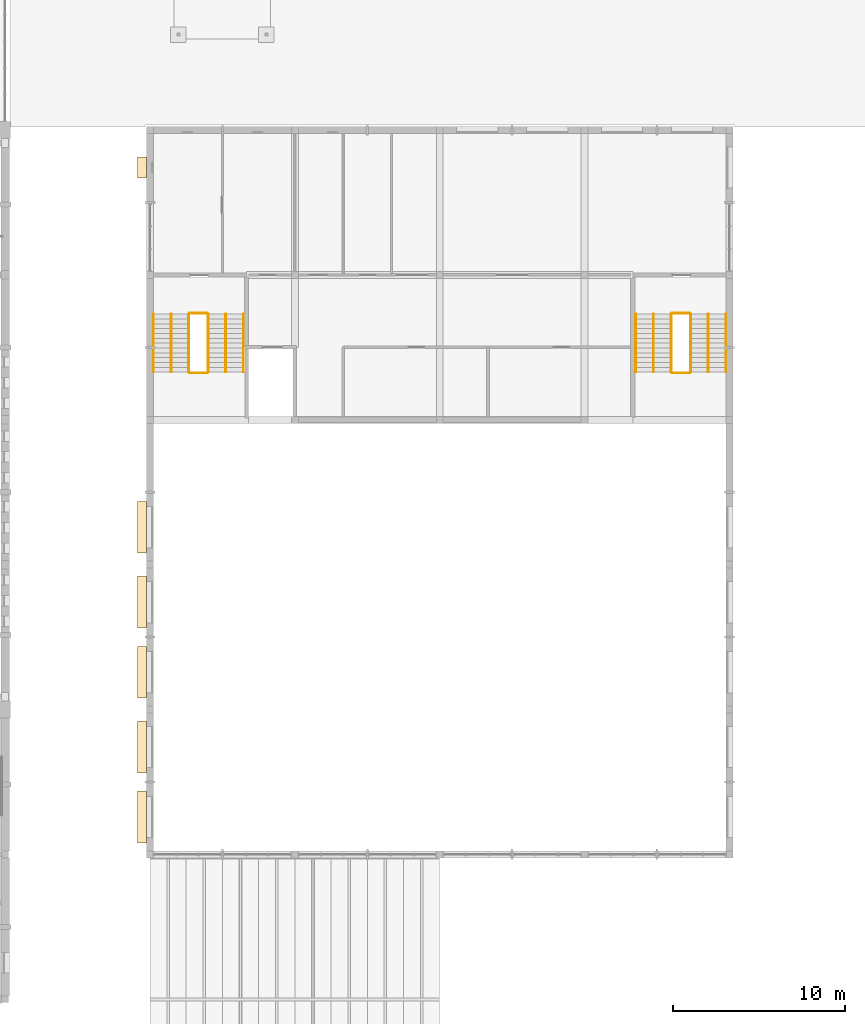
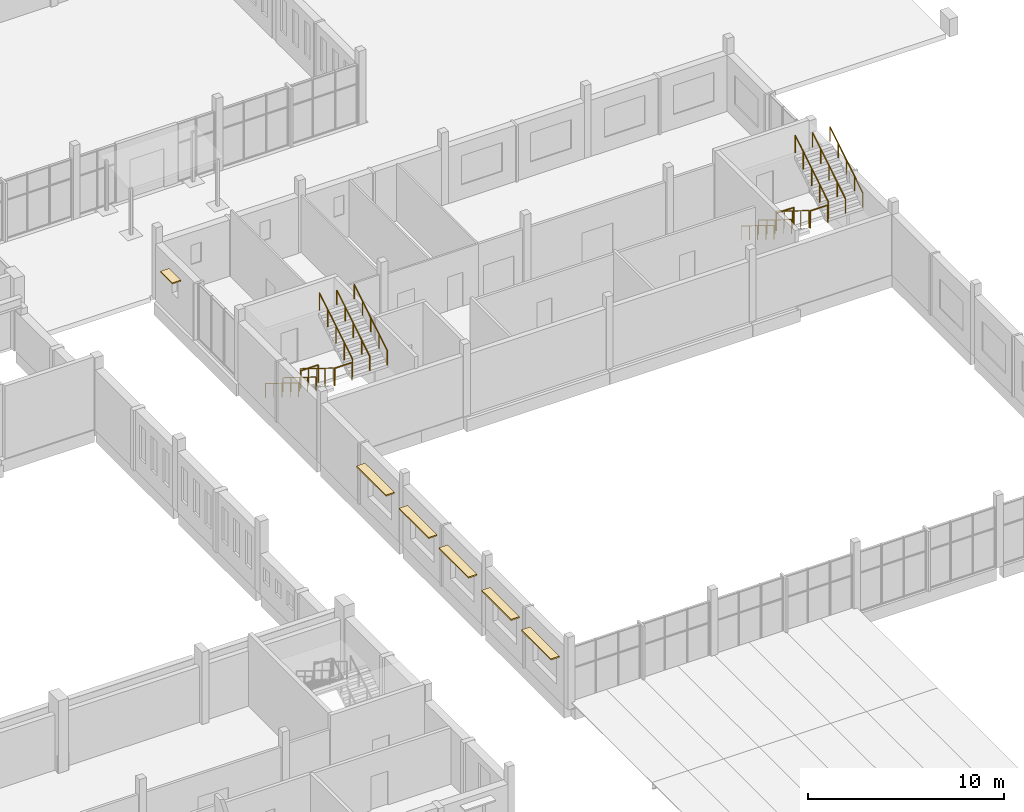
# One storey, part 58 of 60: 16 railings, 6 coverings.
"""IFC4 building model written with IfcOpenShell, lengths in metres."""

from ifc_helpers import new_model, si_unit, direction, frame, origin, origin_2d, place, context, subcontext, project, spatial, rectangle, circle, extrude, material, layer, layer_set, type_object, element, save


model = new_model("IFC4")

# Units and contexts
model_context = context("Model", 3, precision=1e-05, world=origin(), true_north=direction((0.0, 1.0)))
body_context = subcontext(model_context, "Body", "Model", "MODEL_VIEW")
ifc_project = project(units=[si_unit("LENGTHUNIT", "METRE"), si_unit("AREAUNIT", "SQUARE_METRE"), si_unit("VOLUMEUNIT", "CUBIC_METRE"), si_unit("PLANEANGLEUNIT", "RADIAN"), si_unit("MASSUNIT", "GRAM", prefix="KILO")], contexts=[model_context])

# Site, building, storey
site_placement = place(None, origin())
site = spatial("IfcSite", under=ifc_project, at=site_placement, CompositionType="ELEMENT")
building_placement = place(site_placement, origin())
building = spatial("IfcBuilding", under=site, at=building_placement, Name="Fescue Hill Polytechnic", CompositionType="ELEMENT")
storey_placement = place(building_placement, frame((0.0, 0.0, 4.5)))
storey = spatial("IfcBuildingStorey", under=building, at=storey_placement, Name="L01", CompositionType="ELEMENT", Elevation=4.5)

# Coverings
ifc_material_1 = material(Name="Precast concrete C40/50", Category="concrete")
ifc_layer = layer(ifc_material_1, 0.080078125)
ifc_layer_set = layer_set([ifc_layer], Name="Precast concrete C40/50")
covering_type = type_object("IfcCoveringType", Name="Shade blade precast 500x80", PredefinedType="CLADDING", material=ifc_layer_set)
covering_placement = place(storey_placement, frame((125.5400390625, 48.22998046875, 2.75), z_axis=(0.0, 0.0, 1.0), x_axis=(0.0, -1.0, 0.0)))
element("IfcCovering", 1, at=covering_placement, inside=storey, type_object=covering_type, Name="SB-L01-V3-1", PredefinedType="CLADDING", context=body_context, shape_type="SweptSolid", body=[
    extrude(rectangle(XDim=1.199951171875, YDim=0.5, at=origin_2d()), origin(), (0.0, 0.0, 1.0), 0.080078125),
])
for number, where, z_axis, x_axis, name in (
    (2, (125.5400390625, 27.3701171875, 2.75), (0.0, 0.0, 1.0), (0.0, -1.0, 0.0), "SB-L01-V3-2"),
    (3, (125.5400390625, 23.030029296875, 2.75), (0.0, 0.0, 1.0), (0.0, -1.0, 0.0), "SB-L01-V3-3"),
    (4, (125.5400390625, 18.969970703125, 2.75), (0.0, 0.0, 1.0), (0.0, -1.0, 0.0), "SB-L01-V3-4"),
    (5, (125.5400390625, 14.6298828125, 2.75), (0.0, 0.0, 1.0), (0.0, -1.0, 0.0), "SB-L01-V3-5"),
    (6, (125.5400390625, 10.570068359375, 2.75), (0.0, 0.0, 1.0), (0.0, -1.0, 0.0), "SB-L01-V3-6"),
):
    element("IfcCovering", number, at=place(storey_placement, frame(where, z_axis=z_axis, x_axis=x_axis)), inside=storey, type_object=covering_type, Name=name, PredefinedType="CLADDING", context=body_context, shape_type="SweptSolid", body=[
        extrude(rectangle(XDim=3.0, YDim=0.5, at=origin_2d()), origin(), (0.0, 0.0, 1.0), 0.080078125),
    ])

# Railings
ifc_material_2 = material(Name="Steel 350W (350 MPa)", Category="steel")
railing_type_1 = type_object("IfcRailingType", Name="Stair guard steel 1100", PredefinedType="GUARDRAIL", material=ifc_material_2)
railing_1_placement = place(storey_placement, frame((128.25, 39.72509765625, 0.173095703125)))
element("IfcRailing", 7, at=railing_1_placement, inside=storey, type_object=railing_type_1, Name="L01 ST-V3-1 stair guard 1", PredefinedType="GUARDRAIL", context=body_context, shape_type="SweptSolid", body=[
    extrude(circle(Radius=0.02392578125, at=origin_2d()), frame((0.0, 0.0, 1.076171875), z_axis=(0.0, -0.850623216509, 0.525775754039), x_axis=(1.0, 0.0, 0.0)), (0.0, 0.0, 1.0), 3.9501953125),
    extrude(circle(Radius=0.02099609375, at=origin_2d()), origin(), (0.0, 0.0, 1.0), 1.052001953125),
    extrude(circle(Radius=0.02099609375, at=origin_2d()), frame((0.0, -0.840087890625, 0.519287109375)), (0.0, 0.0, 1.0), 1.052001953125),
    extrude(circle(Radius=0.02099609375, at=origin_2d()), frame((0.0, -1.68017578125, 1.03857421875)), (0.0, 0.0, 1.0), 1.052001953125),
    extrude(circle(Radius=0.02099609375, at=origin_2d()), frame((0.0, -2.52001953125, 1.5576171875)), (0.0, 0.0, 1.0), 1.052001953125),
    extrude(circle(Radius=0.02099609375, at=origin_2d()), frame((0.0, -3.360107421875, 2.076904296875)), (0.0, 0.0, 1.0), 1.052001953125),
])
railing_2_placement = place(storey_placement, frame((128.300048828125, 36.31494140625, 2.25)))
element("IfcRailing", 8, at=railing_2_placement, inside=storey, type_object=railing_type_1, Name="L01 ST-V3-1 stair guard 2", PredefinedType="GUARDRAIL", context=body_context, shape_type="SweptSolid", body=[
    extrude(circle(Radius=0.02392578125, at=origin_2d()), frame((0.0, 0.0, 1.076171875), z_axis=(1.0, 0.0, 0.0), x_axis=(0.0, 1.0, 0.0)), (0.0, 0.0, 1.0), 1.02490234375),
    extrude(circle(Radius=0.02099609375, at=origin_2d()), origin(), (0.0, 0.0, 1.0), 1.052001953125),
    extrude(circle(Radius=0.02099609375, at=origin_2d()), frame((1.02490234375, 0.0, 0.0)), (0.0, 0.0, 1.0), 1.052001953125),
])
railing_3_placement = place(storey_placement, frame((129.375, 36.364990234375, 2.423095703125)))
element("IfcRailing", 9, at=railing_3_placement, inside=storey, type_object=railing_type_1, Name="L01 ST-V3-1 stair guard 3", PredefinedType="GUARDRAIL", context=body_context, shape_type="SweptSolid", body=[
    extrude(circle(Radius=0.02392578125, at=origin_2d()), frame((0.0, 0.0, 1.076171875), z_axis=(0.0, 0.850623216509, 0.525775754039), x_axis=(-1.0, 0.0, 0.0)), (0.0, 0.0, 1.0), 3.9501953125),
    extrude(circle(Radius=0.02099609375, at=origin_2d()), origin(), (0.0, 0.0, 1.0), 1.052001953125),
    extrude(circle(Radius=0.02099609375, at=origin_2d()), frame((0.0, 0.840087890625, 0.519287109375)), (0.0, 0.0, 1.0), 1.052001953125),
    extrude(circle(Radius=0.02099609375, at=origin_2d()), frame((0.0, 1.68017578125, 1.03857421875)), (0.0, 0.0, 1.0), 1.052001953125),
    extrude(circle(Radius=0.02099609375, at=origin_2d()), frame((0.0, 2.52001953125, 1.5576171875)), (0.0, 0.0, 1.0), 1.052001953125),
    extrude(circle(Radius=0.02099609375, at=origin_2d()), frame((0.0, 3.360107421875, 2.076904296875)), (0.0, 0.0, 1.0), 1.052001953125),
])
railing_4_placement = place(storey_placement, frame((128.300048828125, 39.77490234375, 0.0)))
element("IfcRailing", 10, at=railing_4_placement, inside=storey, type_object=railing_type_1, Name="L01 ST-V3-1 stair guard 4", PredefinedType="GUARDRAIL", context=body_context, shape_type="SweptSolid", body=[
    extrude(circle(Radius=0.02392578125, at=origin_2d()), frame((0.0, 0.0, 1.076171875), z_axis=(1.0, 0.0, 0.0), x_axis=(0.0, 1.0, 0.0)), (0.0, 0.0, 1.0), 1.02490234375),
    extrude(circle(Radius=0.02099609375, at=origin_2d()), origin(), (0.0, 0.0, 1.0), 1.052001953125),
    extrude(circle(Radius=0.02099609375, at=origin_2d()), frame((1.02490234375, 0.0, 0.0)), (0.0, 0.0, 1.0), 1.052001953125),
])
railing_5_placement = place(storey_placement, frame((156.22509765625, 39.72509765625, 0.173095703125)))
element("IfcRailing", 11, at=railing_5_placement, inside=storey, type_object=railing_type_1, Name="L01 ST-V3-2 stair guard 1", PredefinedType="GUARDRAIL", context=body_context, shape_type="SweptSolid", body=[
    extrude(circle(Radius=0.02392578125, at=origin_2d()), frame((0.0, 0.0, 1.076171875), z_axis=(0.0, -0.850623216509, 0.525775754039), x_axis=(1.0, 0.0, 0.0)), (0.0, 0.0, 1.0), 3.9501953125),
    extrude(circle(Radius=0.02099609375, at=origin_2d()), origin(), (0.0, 0.0, 1.0), 1.052001953125),
    extrude(circle(Radius=0.02099609375, at=origin_2d()), frame((0.0, -0.840087890625, 0.519287109375)), (0.0, 0.0, 1.0), 1.052001953125),
    extrude(circle(Radius=0.02099609375, at=origin_2d()), frame((0.0, -1.68017578125, 1.03857421875)), (0.0, 0.0, 1.0), 1.052001953125),
    extrude(circle(Radius=0.02099609375, at=origin_2d()), frame((0.0, -2.52001953125, 1.5576171875)), (0.0, 0.0, 1.0), 1.052001953125),
    extrude(circle(Radius=0.02099609375, at=origin_2d()), frame((0.0, -3.360107421875, 2.076904296875)), (0.0, 0.0, 1.0), 1.052001953125),
])
railing_6_placement = place(storey_placement, frame((156.27490234375, 36.31494140625, 2.25)))
element("IfcRailing", 12, at=railing_6_placement, inside=storey, type_object=railing_type_1, Name="L01 ST-V3-2 stair guard 2", PredefinedType="GUARDRAIL", context=body_context, shape_type="SweptSolid", body=[
    extrude(circle(Radius=0.02392578125, at=origin_2d()), frame((0.0, 0.0, 1.076171875), z_axis=(1.0, 0.0, 0.0), x_axis=(0.0, 1.0, 0.0)), (0.0, 0.0, 1.0), 1.025146484375),
    extrude(circle(Radius=0.02099609375, at=origin_2d()), origin(), (0.0, 0.0, 1.0), 1.052001953125),
    extrude(circle(Radius=0.02099609375, at=origin_2d()), frame((1.025146484375, 0.0, 0.0)), (0.0, 0.0, 1.0), 1.052001953125),
])
railing_7_placement = place(storey_placement, frame((157.35009765625, 36.364990234375, 2.423095703125)))
element("IfcRailing", 13, at=railing_7_placement, inside=storey, type_object=railing_type_1, Name="L01 ST-V3-2 stair guard 3", PredefinedType="GUARDRAIL", context=body_context, shape_type="SweptSolid", body=[
    extrude(circle(Radius=0.02392578125, at=origin_2d()), frame((0.0, 0.0, 1.076171875), z_axis=(0.0, 0.850623216509, 0.525775754039), x_axis=(-1.0, 0.0, 0.0)), (0.0, 0.0, 1.0), 3.9501953125),
    extrude(circle(Radius=0.02099609375, at=origin_2d()), origin(), (0.0, 0.0, 1.0), 1.052001953125),
    extrude(circle(Radius=0.02099609375, at=origin_2d()), frame((0.0, 0.840087890625, 0.519287109375)), (0.0, 0.0, 1.0), 1.052001953125),
    extrude(circle(Radius=0.02099609375, at=origin_2d()), frame((0.0, 1.68017578125, 1.03857421875)), (0.0, 0.0, 1.0), 1.052001953125),
    extrude(circle(Radius=0.02099609375, at=origin_2d()), frame((0.0, 2.52001953125, 1.5576171875)), (0.0, 0.0, 1.0), 1.052001953125),
    extrude(circle(Radius=0.02099609375, at=origin_2d()), frame((0.0, 3.360107421875, 2.076904296875)), (0.0, 0.0, 1.0), 1.052001953125),
])
railing_8_placement = place(storey_placement, frame((156.27490234375, 39.77490234375, 0.0)))
element("IfcRailing", 14, at=railing_8_placement, inside=storey, type_object=railing_type_1, Name="L01 ST-V3-2 stair guard 4", PredefinedType="GUARDRAIL", context=body_context, shape_type="SweptSolid", body=[
    extrude(circle(Radius=0.02392578125, at=origin_2d()), frame((0.0, 0.0, 1.076171875), z_axis=(1.0, 0.0, 0.0), x_axis=(0.0, 1.0, 0.0)), (0.0, 0.0, 1.0), 1.025146484375),
    extrude(circle(Radius=0.02099609375, at=origin_2d()), origin(), (0.0, 0.0, 1.0), 1.052001953125),
    extrude(circle(Radius=0.02099609375, at=origin_2d()), frame((1.025146484375, 0.0, 0.0)), (0.0, 0.0, 1.0), 1.052001953125),
])
railing_type_2 = type_object("IfcRailingType", Name="Stair handrail steel 900", PredefinedType="HANDRAIL", material=ifc_material_2)
railing_9_placement = place(storey_placement, frame((126.199951171875, 39.72509765625, 0.173095703125)))
element("IfcRailing", 15, at=railing_9_placement, inside=storey, type_object=railing_type_2, Name="L01 ST-V3-1 stair handrail 1", PredefinedType="HANDRAIL", context=body_context, shape_type="SweptSolid", body=[
    extrude(circle(Radius=0.02392578125, at=origin_2d()), frame((0.0, 0.0, 0.8759765625), z_axis=(0.0, -0.850623216509, 0.525775754039), x_axis=(1.0, 0.0, 0.0)), (0.0, 0.0, 1.0), 3.9501953125),
    extrude(circle(Radius=0.02099609375, at=origin_2d()), origin(), (0.0, 0.0, 1.0), 0.851806640625),
    extrude(circle(Radius=0.02099609375, at=origin_2d()), frame((0.0, -0.840087890625, 0.519287109375)), (0.0, 0.0, 1.0), 0.851806640625),
    extrude(circle(Radius=0.02099609375, at=origin_2d()), frame((0.0, -1.68017578125, 1.03857421875)), (0.0, 0.0, 1.0), 0.851806640625),
    extrude(circle(Radius=0.02099609375, at=origin_2d()), frame((0.0, -2.52001953125, 1.5576171875)), (0.0, 0.0, 1.0), 0.851806640625),
    extrude(circle(Radius=0.02099609375, at=origin_2d()), frame((0.0, -3.360107421875, 2.076904296875)), (0.0, 0.0, 1.0), 0.851806640625),
])
railing_10_placement = place(storey_placement, frame((131.425048828125, 36.364990234375, 2.423095703125)))
element("IfcRailing", 16, at=railing_10_placement, inside=storey, type_object=railing_type_2, Name="L01 ST-V3-1 stair handrail 2", PredefinedType="HANDRAIL", context=body_context, shape_type="SweptSolid", body=[
    extrude(circle(Radius=0.02392578125, at=origin_2d()), frame((0.0, 0.0, 0.8759765625), z_axis=(0.0, 0.850623216509, 0.525775754039), x_axis=(-1.0, 0.0, 0.0)), (0.0, 0.0, 1.0), 3.9501953125),
    extrude(circle(Radius=0.02099609375, at=origin_2d()), origin(), (0.0, 0.0, 1.0), 0.851806640625),
    extrude(circle(Radius=0.02099609375, at=origin_2d()), frame((0.0, 0.840087890625, 0.519287109375)), (0.0, 0.0, 1.0), 0.851806640625),
    extrude(circle(Radius=0.02099609375, at=origin_2d()), frame((0.0, 1.68017578125, 1.03857421875)), (0.0, 0.0, 1.0), 0.851806640625),
    extrude(circle(Radius=0.02099609375, at=origin_2d()), frame((0.0, 2.52001953125, 1.5576171875)), (0.0, 0.0, 1.0), 0.851806640625),
    extrude(circle(Radius=0.02099609375, at=origin_2d()), frame((0.0, 3.360107421875, 2.076904296875)), (0.0, 0.0, 1.0), 0.851806640625),
])
railing_11_placement = place(storey_placement, frame((127.22509765625, 39.72509765625, 0.173095703125)))
element("IfcRailing", 17, at=railing_11_placement, inside=storey, type_object=railing_type_2, Name="L01 ST-V3-1 stair handrail 3", PredefinedType="HANDRAIL", context=body_context, shape_type="SweptSolid", body=[
    extrude(circle(Radius=0.02392578125, at=origin_2d()), frame((0.0, 0.0, 0.8759765625), z_axis=(0.0, -0.850623216509, 0.525775754039), x_axis=(1.0, 0.0, 0.0)), (0.0, 0.0, 1.0), 3.9501953125),
    extrude(circle(Radius=0.02099609375, at=origin_2d()), origin(), (0.0, 0.0, 1.0), 0.851806640625),
    extrude(circle(Radius=0.02099609375, at=origin_2d()), frame((0.0, -0.840087890625, 0.519287109375)), (0.0, 0.0, 1.0), 0.851806640625),
    extrude(circle(Radius=0.02099609375, at=origin_2d()), frame((0.0, -1.68017578125, 1.03857421875)), (0.0, 0.0, 1.0), 0.851806640625),
    extrude(circle(Radius=0.02099609375, at=origin_2d()), frame((0.0, -2.52001953125, 1.5576171875)), (0.0, 0.0, 1.0), 0.851806640625),
    extrude(circle(Radius=0.02099609375, at=origin_2d()), frame((0.0, -3.360107421875, 2.076904296875)), (0.0, 0.0, 1.0), 0.851806640625),
])
railing_12_placement = place(storey_placement, frame((130.39990234375, 36.364990234375, 2.423095703125)))
element("IfcRailing", 18, at=railing_12_placement, inside=storey, type_object=railing_type_2, Name="L01 ST-V3-1 stair handrail 4", PredefinedType="HANDRAIL", context=body_context, shape_type="SweptSolid", body=[
    extrude(circle(Radius=0.02392578125, at=origin_2d()), frame((0.0, 0.0, 0.8759765625), z_axis=(0.0, 0.850623216509, 0.525775754039), x_axis=(-1.0, 0.0, 0.0)), (0.0, 0.0, 1.0), 3.9501953125),
    extrude(circle(Radius=0.02099609375, at=origin_2d()), origin(), (0.0, 0.0, 1.0), 0.851806640625),
    extrude(circle(Radius=0.02099609375, at=origin_2d()), frame((0.0, 0.840087890625, 0.519287109375)), (0.0, 0.0, 1.0), 0.851806640625),
    extrude(circle(Radius=0.02099609375, at=origin_2d()), frame((0.0, 1.68017578125, 1.03857421875)), (0.0, 0.0, 1.0), 0.851806640625),
    extrude(circle(Radius=0.02099609375, at=origin_2d()), frame((0.0, 2.52001953125, 1.5576171875)), (0.0, 0.0, 1.0), 0.851806640625),
    extrude(circle(Radius=0.02099609375, at=origin_2d()), frame((0.0, 3.360107421875, 2.076904296875)), (0.0, 0.0, 1.0), 0.851806640625),
])
railing_13_placement = place(storey_placement, frame((154.175048828125, 39.72509765625, 0.173095703125)))
element("IfcRailing", 19, at=railing_13_placement, inside=storey, type_object=railing_type_2, Name="L01 ST-V3-2 stair handrail 1", PredefinedType="HANDRAIL", context=body_context, shape_type="SweptSolid", body=[
    extrude(circle(Radius=0.02392578125, at=origin_2d()), frame((0.0, 0.0, 0.8759765625), z_axis=(0.0, -0.850623216509, 0.525775754039), x_axis=(1.0, 0.0, 0.0)), (0.0, 0.0, 1.0), 3.9501953125),
    extrude(circle(Radius=0.02099609375, at=origin_2d()), origin(), (0.0, 0.0, 1.0), 0.851806640625),
    extrude(circle(Radius=0.02099609375, at=origin_2d()), frame((0.0, -0.840087890625, 0.519287109375)), (0.0, 0.0, 1.0), 0.851806640625),
    extrude(circle(Radius=0.02099609375, at=origin_2d()), frame((0.0, -1.68017578125, 1.03857421875)), (0.0, 0.0, 1.0), 0.851806640625),
    extrude(circle(Radius=0.02099609375, at=origin_2d()), frame((0.0, -2.52001953125, 1.5576171875)), (0.0, 0.0, 1.0), 0.851806640625),
    extrude(circle(Radius=0.02099609375, at=origin_2d()), frame((0.0, -3.360107421875, 2.076904296875)), (0.0, 0.0, 1.0), 0.851806640625),
])
railing_14_placement = place(storey_placement, frame((159.39990234375, 36.364990234375, 2.423095703125)))
element("IfcRailing", 20, at=railing_14_placement, inside=storey, type_object=railing_type_2, Name="L01 ST-V3-2 stair handrail 2", PredefinedType="HANDRAIL", context=body_context, shape_type="SweptSolid", body=[
    extrude(circle(Radius=0.02392578125, at=origin_2d()), frame((0.0, 0.0, 0.8759765625), z_axis=(0.0, 0.850623216509, 0.525775754039), x_axis=(-1.0, 0.0, 0.0)), (0.0, 0.0, 1.0), 3.9501953125),
    extrude(circle(Radius=0.02099609375, at=origin_2d()), origin(), (0.0, 0.0, 1.0), 0.851806640625),
    extrude(circle(Radius=0.02099609375, at=origin_2d()), frame((0.0, 0.840087890625, 0.519287109375)), (0.0, 0.0, 1.0), 0.851806640625),
    extrude(circle(Radius=0.02099609375, at=origin_2d()), frame((0.0, 1.68017578125, 1.03857421875)), (0.0, 0.0, 1.0), 0.851806640625),
    extrude(circle(Radius=0.02099609375, at=origin_2d()), frame((0.0, 2.52001953125, 1.5576171875)), (0.0, 0.0, 1.0), 0.851806640625),
    extrude(circle(Radius=0.02099609375, at=origin_2d()), frame((0.0, 3.360107421875, 2.076904296875)), (0.0, 0.0, 1.0), 0.851806640625),
])
railing_15_placement = place(storey_placement, frame((155.199951171875, 39.72509765625, 0.173095703125)))
element("IfcRailing", 21, at=railing_15_placement, inside=storey, type_object=railing_type_2, Name="L01 ST-V3-2 stair handrail 3", PredefinedType="HANDRAIL", context=body_context, shape_type="SweptSolid", body=[
    extrude(circle(Radius=0.02392578125, at=origin_2d()), frame((0.0, 0.0, 0.8759765625), z_axis=(0.0, -0.850623216509, 0.525775754039), x_axis=(1.0, 0.0, 0.0)), (0.0, 0.0, 1.0), 3.9501953125),
    extrude(circle(Radius=0.02099609375, at=origin_2d()), origin(), (0.0, 0.0, 1.0), 0.851806640625),
    extrude(circle(Radius=0.02099609375, at=origin_2d()), frame((0.0, -0.840087890625, 0.519287109375)), (0.0, 0.0, 1.0), 0.851806640625),
    extrude(circle(Radius=0.02099609375, at=origin_2d()), frame((0.0, -1.68017578125, 1.03857421875)), (0.0, 0.0, 1.0), 0.851806640625),
    extrude(circle(Radius=0.02099609375, at=origin_2d()), frame((0.0, -2.52001953125, 1.5576171875)), (0.0, 0.0, 1.0), 0.851806640625),
    extrude(circle(Radius=0.02099609375, at=origin_2d()), frame((0.0, -3.360107421875, 2.076904296875)), (0.0, 0.0, 1.0), 0.851806640625),
])
railing_16_placement = place(storey_placement, frame((158.375, 36.364990234375, 2.423095703125)))
element("IfcRailing", 22, at=railing_16_placement, inside=storey, type_object=railing_type_2, Name="L01 ST-V3-2 stair handrail 4", PredefinedType="HANDRAIL", context=body_context, shape_type="SweptSolid", body=[
    extrude(circle(Radius=0.02392578125, at=origin_2d()), frame((0.0, 0.0, 0.8759765625), z_axis=(0.0, 0.850623216509, 0.525775754039), x_axis=(-1.0, 0.0, 0.0)), (0.0, 0.0, 1.0), 3.9501953125),
    extrude(circle(Radius=0.02099609375, at=origin_2d()), origin(), (0.0, 0.0, 1.0), 0.851806640625),
    extrude(circle(Radius=0.02099609375, at=origin_2d()), frame((0.0, 0.840087890625, 0.519287109375)), (0.0, 0.0, 1.0), 0.851806640625),
    extrude(circle(Radius=0.02099609375, at=origin_2d()), frame((0.0, 1.68017578125, 1.03857421875)), (0.0, 0.0, 1.0), 0.851806640625),
    extrude(circle(Radius=0.02099609375, at=origin_2d()), frame((0.0, 2.52001953125, 1.5576171875)), (0.0, 0.0, 1.0), 0.851806640625),
    extrude(circle(Radius=0.02099609375, at=origin_2d()), frame((0.0, 3.360107421875, 2.076904296875)), (0.0, 0.0, 1.0), 0.851806640625),
])

save(model, "model.ifc")
